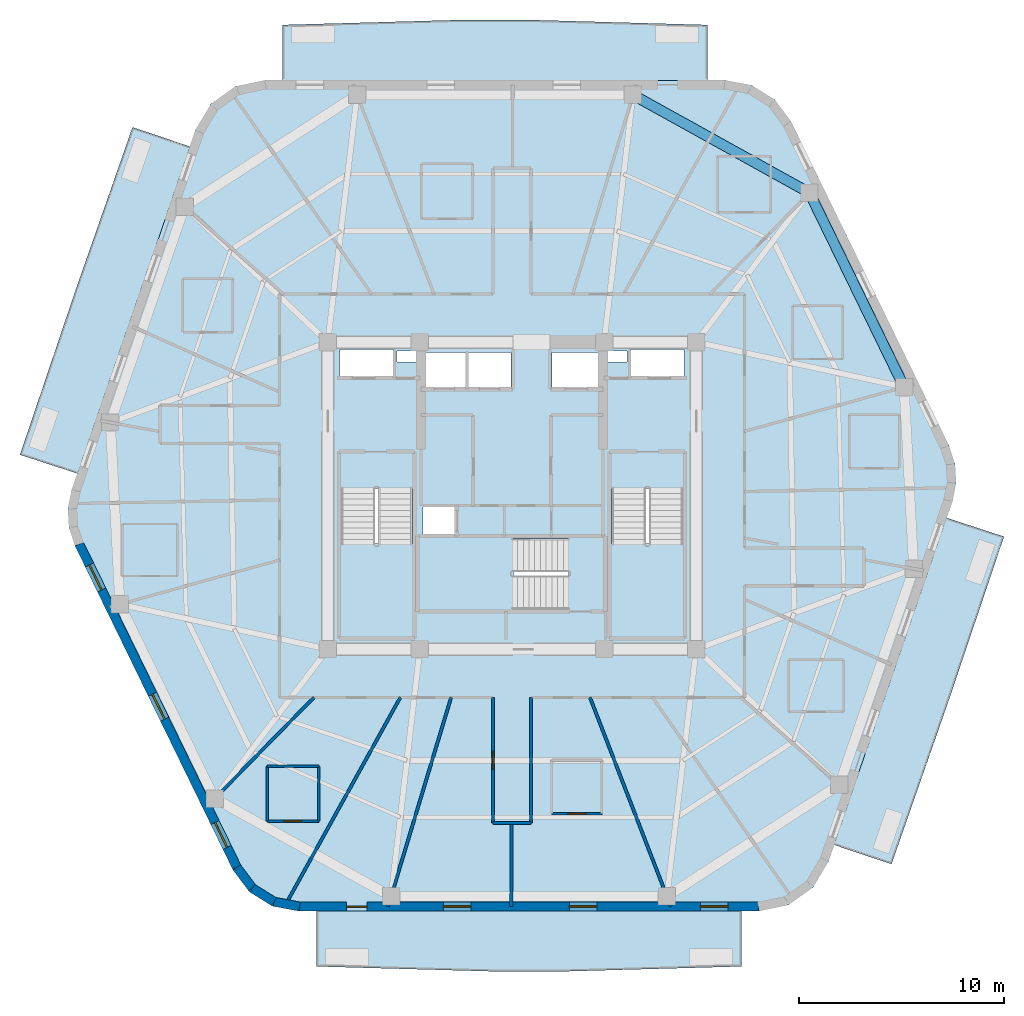
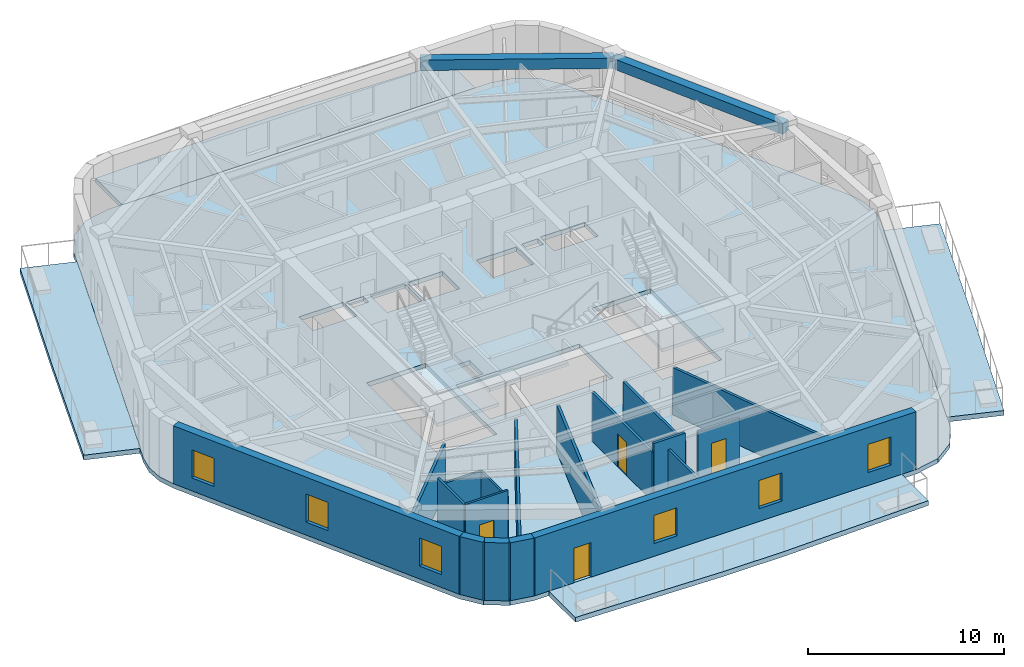
# One storey, part 2 of 9: 18 walls, 8 slabs, 6 windows, 4 doors, 2 beams, 10 openings, 3 elements without a shape of their own.
"""IFC4 building model written with IfcOpenShell, lengths in metres."""

from ifc_helpers import new_model, si_unit, direction, frame, frame_2d, origin, origin_2d, place, context, subcontext, project, spatial, polyline, rectangle, outline, extrude, material, layer, layer_set, material_profile, profile_set, type_object, element, fill, aggregate, save


model = new_model("IFC4")

# Units and contexts
model_context = context("Model", 3, precision=1e-05, world=origin(), true_north=direction((0.0, 1.0)))
body_context = subcontext(model_context, "Body", "Model", "MODEL_VIEW")
ifc_project = project(units=[si_unit("LENGTHUNIT", "METRE"), si_unit("AREAUNIT", "SQUARE_METRE"), si_unit("VOLUMEUNIT", "CUBIC_METRE"), si_unit("PLANEANGLEUNIT", "RADIAN"), si_unit("MASSUNIT", "GRAM", prefix="KILO")], contexts=[model_context])

# Site, building, storey
site_placement = place(None, origin())
site = spatial("IfcSite", under=ifc_project, at=site_placement, CompositionType="ELEMENT")
building_placement = place(site_placement, origin())
building = spatial("IfcBuilding", under=site, at=building_placement, Name="Kilnhurst Terrace Hotel", CompositionType="ELEMENT")
storey_placement = place(building_placement, frame((0.0, 0.0, 269.10009765625)))
storey = spatial("IfcBuildingStorey", under=building, at=storey_placement, Name="L67", CompositionType="ELEMENT", Elevation=269.10009765625)

# Beams
ifc_material_1 = material(Name="Concrete C50/60", Category="concrete")
ifc_material_profile = material_profile(ifc_material_1, rectangle(XDim=0.5, YDim=0.64990234375, at=origin_2d()), Name="RC500X650")
ifc_profile_set = profile_set([ifc_material_profile], Name="Concrete C50/60")
beam_type = type_object("IfcBeamType", Name="BM-SPN-500X650", PredefinedType="SPANDREL", material=ifc_profile_set)
beam_1_placement = place(storey_placement, frame((19.157958984375, 5.304931640625, 3.27490234375), z_axis=(-0.438128464895, 0.898912369616, 0.0), x_axis=(-0.898912369616, -0.438128464895, 0.0)))
element("IfcBeam", 1, at=beam_1_placement, inside=storey, type_object=beam_type, Name="L67 Perimeter Spandrel Beam 5", PredefinedType="SPANDREL", context=body_context, shape_type="SweptSolid", body=[
    extrude(rectangle(XDim=0.5, YDim=0.64990234375, at=origin_2d()), origin(), (0.0, 0.0, 1.0), 10.560791015625),
])
beam_2_placement = place(storey_placement, frame((14.531005859375, 14.798095703125, 3.27490234375), z_axis=(-0.874527255888, 0.484976369227, 0.0), x_axis=(-0.484976369227, -0.874527255888, 0.0)))
element("IfcBeam", 2, at=beam_2_placement, inside=storey, type_object=beam_type, Name="L67 Perimeter Spandrel Beam 6", PredefinedType="SPANDREL", context=body_context, shape_type="SweptSolid", body=[
    extrude(rectangle(XDim=0.5, YDim=0.64990234375, at=origin_2d()), origin(), (0.0, 0.0, 1.0), 9.8603515625),
])

# Slabs
ifc_layer_1 = layer(ifc_material_1, 0.300048828125, Name="Concrete C50/60")
ifc_layer_set_1 = layer_set([ifc_layer_1], Name="Concrete C50/60")
slab_type_1 = type_object("IfcSlabType", Name="SLB-BAL-300", PredefinedType="FLOOR", material=ifc_layer_set_1)
slab_1_placement = place(storey_placement, frame((0.0, 0.0, -0.300048828125)))
element("IfcSlab", 3, at=slab_1_placement, inside=storey, type_object=slab_type_1, Name="L67 Cantilevered Planted Terrace Slab BAL-L1A", PredefinedType="FLOOR", context=body_context, shape_type="SweptSolid", body=[
    extrude(outline(polyline([(2.62060546875, -23.239990234375), (-0.958984375, -23.239990234375), (-9.5498046875, -23.0), (-9.5498046875, -20.280029296875), (11.211669921875, -20.280029296875), (11.211669921875, -23.0), (2.62060546875, -23.239990234375)])), origin(), (0.0, 0.0, 1.0), 0.300048828125),
])
slab_2_placement = place(storey_placement, frame((0.0, 0.0, -0.300048828125)))
element("IfcSlab", 4, at=slab_2_placement, inside=storey, type_object=slab_type_1, Name="L67 Cantilevered Planted Terrace Slab BAL-L1B", PredefinedType="FLOOR", context=body_context, shape_type="SweptSolid", body=[
    extrude(outline(polyline([(18.541259765625, -18.0), (15.725341796875, -17.0556640625), (21.223388671875, -1.0791015625), (24.037353515625, -2.0), (21.317626953125, -10.054931640625), (18.541259765625, -18.0)])), origin(), (0.0, 0.0, 1.0), 0.300048828125),
])
slab_3_placement = place(storey_placement, frame((0.0, 0.0, -0.300048828125)))
element("IfcSlab", 5, at=slab_3_placement, inside=storey, type_object=slab_type_1, Name="L67 Cantilevered Planted Terrace Slab BAL-L2A", PredefinedType="FLOOR", context=body_context, shape_type="SweptSolid", body=[
    extrude(outline(polyline([(0.958984375, 23.239990234375), (9.5498046875, 23.0), (9.5498046875, 20.280029296875), (-11.211669921875, 20.280029296875), (-11.211669921875, 23.0), (-2.62060546875, 23.239990234375), (0.958984375, 23.239990234375)])), origin(), (0.0, 0.0, 1.0), 0.300048828125),
])
slab_4_placement = place(storey_placement, frame((0.0, 0.0, -0.300048828125)))
element("IfcSlab", 6, at=slab_4_placement, inside=storey, type_object=slab_type_1, Name="L67 Cantilevered Planted Terrace Slab BAL-L2B", PredefinedType="FLOOR", context=body_context, shape_type="SweptSolid", body=[
    extrude(outline(polyline([(-18.541259765625, 18.0), (-15.725341796875, 17.0556640625), (-21.223388671875, 1.0791015625), (-24.037353515625, 2.0), (-21.317626953125, 10.054931640625), (-18.541259765625, 18.0)])), origin(), (0.0, 0.0, 1.0), 0.300048828125),
])
ifc_layer_2 = layer(ifc_material_1, 0.280029296875, Name="Concrete C50/60")
ifc_layer_set_2 = layer_set([ifc_layer_2], Name="Concrete C50/60")
slab_type_2 = type_object("IfcSlabType", Name="SLB-FLR-280", PredefinedType="FLOOR", material=ifc_layer_set_2)
slab_5_placement = place(storey_placement, frame((0.0, 0.0, -0.280029296875)))
element("IfcSlab", 7, at=slab_5_placement, inside=storey, type_object=slab_type_2, Name="L67 Structural Floor Slab", PredefinedType="FLOOR", context=body_context, shape_type="SweptSolid", body=[
    extrude(outline(polyline([(-13.635986328125, -18.27734375), (-12.840087890625, -19.3466796875), (-11.709716796875, -20.05322265625), (-10.39990234375, -20.300048828125), (12.061767578125, -20.300048828125), (13.5068359375, -19.9970703125), (14.708984375, -19.139404296875), (15.4658203125, -17.871337890625), (21.51513671875, -0.29248046875), (21.7021484375, 0.627685546875), (21.64501953125, 1.565185546875), (21.34716796875, 2.4560546875), (13.635986328125, 18.27734375), (12.840087890625, 19.3466796875), (11.709716796875, 20.05322265625), (10.39990234375, 20.300048828125), (-12.061767578125, 20.300048828125), (-13.5068359375, 19.9970703125), (-14.708984375, 19.139404296875), (-15.4658203125, 17.871337890625), (-21.51513671875, 0.29248046875), (-21.7021484375, -0.627685546875), (-21.64501953125, -1.565185546875), (-21.34716796875, -2.4560546875), (-13.635986328125, -18.27734375)]), holes=[polyline([(-8.35009765625, 0.35498046875), (-4.8798828125, 0.35498046875), (-4.8798828125, -6.89990234375), (-8.35009765625, -6.89990234375), (-8.35009765625, 0.35498046875)]), polyline([(-2.800048828125, -1.89990234375), (-4.35009765625, -1.89990234375), (-4.35009765625, -0.550048828125), (-2.800048828125, -0.550048828125), (-2.800048828125, -1.89990234375)]), polyline([(-2.25, 5.25), (-4.300048828125, 5.25), (-4.300048828125, 7.0), (-2.25, 7.0), (-2.25, 5.25)]), polyline([(-2.1201171875, 5.25), (-2.1201171875, 7.0), (-0.050048828125, 7.0), (-0.050048828125, 5.25), (-2.1201171875, 5.25)]), polyline([(-8.39990234375, 5.75), (-8.39990234375, 7.14990234375), (-5.800048828125, 7.14990234375), (-5.800048828125, 5.75), (-8.39990234375, 5.75)]), polyline([(-4.659912109375, 6.52001953125), (-5.6201171875, 6.52001953125), (-5.6201171875, 7.080078125), (-4.659912109375, 7.080078125), (-4.659912109375, 6.52001953125)]), polyline([(2.7548828125, -5.550048828125), (-4.5, -5.550048828125), (-4.5, -2.080078125), (2.7548828125, -2.080078125), (2.7548828125, -5.550048828125)]), polyline([(8.35009765625, 0.35498046875), (8.35009765625, -6.89990234375), (4.8798828125, -6.89990234375), (4.8798828125, 0.35498046875), (8.35009765625, 0.35498046875)]), polyline([(4.300048828125, 5.25), (1.949951171875, 5.25), (1.949951171875, 7.0), (4.300048828125, 7.0), (4.300048828125, 5.25)]), polyline([(5.800048828125, 5.75), (5.800048828125, 7.14990234375), (8.39990234375, 7.14990234375), (8.39990234375, 5.75), (5.800048828125, 5.75)]), polyline([(4.659912109375, 6.52001953125), (4.659912109375, 7.080078125), (5.6201171875, 7.080078125), (5.6201171875, 6.52001953125), (4.659912109375, 6.52001953125)])]), origin(), (0.0, 0.0, 1.0), 0.280029296875),
])

# Stair, slab
stair_type = type_object("IfcStairType", Name="STR-CORE-1660", PredefinedType="HALF_TURN_STAIR", material=ifc_material_1)
stair_1_placement = place(storey_placement, origin())
stair_1 = element("IfcStair", 8, at=stair_1_placement, inside=storey, type_object=stair_type, Name="L67 ST-1", PredefinedType="HALF_TURN_STAIR")
ifc_layer_3 = layer(ifc_material_1, 0.199951171875, Name="Concrete C50/60")
ifc_layer_set_3 = layer_set([ifc_layer_3], Name="Concrete C50/60")
slab_type_3 = type_object("IfcSlabType", Name="SLB-ST-LND-200", PredefinedType="LANDING", material=ifc_layer_set_3)
slab_6_placement = place(storey_placement, frame((0.0, 0.0, 1.75)))
slab_6 = element("IfcSlab", 9, at=slab_6_placement, type_object=slab_type_3, Name="ST-1 landing 1", PredefinedType="LANDING", context=body_context, shape_type="SweptSolid", body=[
    extrude(outline(polyline([(-8.429931640625, -2.330078125), (-4.800048828125, -2.330078125), (-4.800048828125, -6.97998046875), (-8.429931640625, -6.97998046875), (-8.429931640625, -2.330078125)])), origin(), (0.0, 0.0, 1.0), 0.199951171875),
])
aggregate(stair_1, [slab_6])

stair_2_placement = place(storey_placement, origin())
stair_2 = element("IfcStair", 10, at=stair_2_placement, inside=storey, type_object=stair_type, Name="L67 ST-2", PredefinedType="HALF_TURN_STAIR")
slab_7_placement = place(storey_placement, frame((0.0, 0.0, 1.75)))
slab_7 = element("IfcSlab", 11, at=slab_7_placement, type_object=slab_type_3, Name="ST-2 landing 1", PredefinedType="LANDING", context=body_context, shape_type="SweptSolid", body=[
    extrude(outline(polyline([(4.800048828125, -2.330078125), (8.429931640625, -2.330078125), (8.429931640625, -6.97998046875), (4.800048828125, -6.97998046875), (4.800048828125, -2.330078125)])), origin(), (0.0, 0.0, 1.0), 0.199951171875),
])
aggregate(stair_2, [slab_7])

stair_3_placement = place(storey_placement, origin())
stair_3 = element("IfcStair", 12, at=stair_3_placement, inside=storey, type_object=stair_type, Name="L67 ST-3", PredefinedType="HALF_TURN_STAIR")
slab_8_placement = place(storey_placement, frame((0.0, 0.0, 1.75)))
slab_8 = element("IfcSlab", 13, at=slab_8_placement, type_object=slab_type_3, Name="ST-3 landing 1", PredefinedType="LANDING", context=body_context, shape_type="SweptSolid", body=[
    extrude(outline(polyline([(0.070068359375, -2.0), (0.070068359375, -5.6298828125), (-4.580078125, -5.6298828125), (-4.580078125, -2.0), (0.070068359375, -2.0)])), origin(), (0.0, 0.0, 1.0), 0.199951171875),
])
aggregate(stair_3, [slab_8])

# Walls
ifc_material_2 = material(Name="Precast concrete C40/50", Category="concrete")
ifc_layer_4 = layer(ifc_material_2, 0.449951171875, Name="Precast concrete C40/50")
ifc_layer_set_4 = layer_set([ifc_layer_4], Name="Precast concrete C40/50")
wall_type_1 = type_object("IfcWallType", Name="WL-BRK-450", PredefinedType="SOLIDWALL", material=ifc_layer_set_4)
wall_1_placement = place(storey_placement, frame((-13.44287109375, -18.159912109375, 0.0), z_axis=(0.0, 0.0, 1.0), x_axis=(0.597042425808, -0.802209661987, 0.0)))
element("IfcWall", 14, at=wall_1_placement, inside=storey, type_object=wall_type_1, Name="L67 Rounded Corner Brick Wall C1.1", PredefinedType="SOLIDWALL", context=body_context, shape_type="SweptSolid", body=[
    extrude(rectangle(XDim=1.269775390625, YDim=0.449951171875, at=frame_2d((0.634765625, 0.0))), origin(), (0.0, 0.0, 1.0), 3.599853515625),
])
wall_2_placement = place(storey_placement, frame((-12.684814453125, -19.178466796875, 0.0), z_axis=(0.0, 0.0, 1.0), x_axis=(0.848031272749, -0.529946186362, 0.0)))
element("IfcWall", 15, at=wall_2_placement, inside=storey, type_object=wall_type_1, Name="L67 Rounded Corner Brick Wall C1.2", PredefinedType="SOLIDWALL", context=body_context, shape_type="SweptSolid", body=[
    extrude(rectangle(XDim=1.248046875, YDim=0.449951171875, at=frame_2d((0.6240234375, 0.0))), origin(), (0.0, 0.0, 1.0), 3.599853515625),
])
wall_3_placement = place(storey_placement, frame((-11.62646484375, -19.83984375, 0.0), z_axis=(0.0, 0.0, 1.0), x_axis=(0.982701956681, -0.185194126083, 0.0)))
element("IfcWall", 16, at=wall_3_placement, inside=storey, type_object=wall_type_1, Name="L67 Rounded Corner Brick Wall C1.3", PredefinedType="SOLIDWALL", context=body_context, shape_type="SweptSolid", body=[
    extrude(rectangle(XDim=1.26953125, YDim=0.449951171875, at=frame_2d((0.634765625, 0.0))), origin(), (0.0, 0.0, 1.0), 3.599853515625),
])

# Wall, openings, door, windows
wall_4_placement = place(storey_placement, frame((-10.37890625, -20.074951171875, 0.0), z_axis=(0.0, 0.0, 1.0), x_axis=(1.0, 0.0, 0.0)))
wall_4 = element("IfcWall", 17, at=wall_4_placement, inside=storey, type_object=wall_type_1, Name="L67 Exterior Brick Facade Wall F1", PredefinedType="SOLIDWALL", context=body_context, shape_type="SweptSolid", body=[
    extrude(rectangle(XDim=22.417236328125, YDim=0.449951171875, at=frame_2d((11.20849609375, 0.0))), origin(), (0.0, 0.0, 1.0), 3.599853515625),
])
opening_1_placement = place(wall_4_placement, frame((2.302001953125, 0.0, 0.0)))
opening_1 = element("IfcOpeningElement", 18, at=opening_1_placement, cuts=wall_4, Name="Opening BD-1000", PredefinedType="OPENING", context=body_context, shape_type="SweptSolid", body=[
    extrude(rectangle(XDim=1.0, YDim=2.14990234375, at=frame_2d((0.5, 1.074951171875))), frame((0.0, 0.23486328125, 0.0), z_axis=(0.0, -1.0, 0.0), x_axis=(1.0, 0.0, 0.0)), (0.0, 0.0, 1.0), 0.469970703125),
])
opening_2_placement = place(wall_4_placement, frame((7.02197265625, 0.0, 0.800048828125)))
opening_2 = element("IfcOpeningElement", 19, at=opening_2_placement, cuts=wall_4, Name="Opening W-06", PredefinedType="OPENING", context=body_context, shape_type="SweptSolid", body=[
    extrude(rectangle(XDim=1.35009765625, YDim=1.75, at=frame_2d((0.675048828125, 0.875))), frame((0.0, 0.23486328125, 0.0), z_axis=(0.0, -1.0, 0.0), x_axis=(1.0, 0.0, 0.0)), (0.0, 0.0, 1.0), 0.469970703125),
])
opening_3_placement = place(wall_4_placement, frame((13.179931640625, 0.0, 0.800048828125)))
opening_3 = element("IfcOpeningElement", 20, at=opening_3_placement, cuts=wall_4, Name="Opening W-06", PredefinedType="OPENING", context=body_context, shape_type="SweptSolid", body=[
    extrude(rectangle(XDim=1.35009765625, YDim=1.75, at=frame_2d((0.675048828125, 0.875))), frame((0.0, 0.23486328125, 0.0), z_axis=(0.0, -1.0, 0.0), x_axis=(1.0, 0.0, 0.0)), (0.0, 0.0, 1.0), 0.469970703125),
])
opening_4_placement = place(wall_4_placement, frame((19.5869140625, 0.0, 0.800048828125)))
opening_4 = element("IfcOpeningElement", 21, at=opening_4_placement, cuts=wall_4, Name="Opening W-06", PredefinedType="OPENING", context=body_context, shape_type="SweptSolid", body=[
    extrude(rectangle(XDim=1.35009765625, YDim=1.75, at=frame_2d((0.675048828125, 0.875))), frame((0.0, 0.23486328125, 0.0), z_axis=(0.0, -1.0, 0.0), x_axis=(1.0, 0.0, 0.0)), (0.0, 0.0, 1.0), 0.469970703125),
])
ifc_material_3 = material(Name="Thermally Broken Bronze Aluminium Alloy 6063-T6 and Laminated Glass", Category="aluminium")
door_type_1 = type_object("IfcDoorType", Name="DR-EXT-BAL-1000", OperationType="NOTDEFINED", PredefinedType="DOOR", material=ifc_material_3)
door_1_placement = place(opening_1_placement, origin())
door_1 = element("IfcDoor", 22, at=door_1_placement, inside=storey, type_object=door_type_1, Name="L67 Planted Balcony Door BAL-L1A", OperationType="SINGLE_SWING_LEFT", OverallHeight=2.14990234375, OverallWidth=1.0, PredefinedType="DOOR", context=body_context, shape_type="SweptSolid", body=[
    extrude(rectangle(XDim=1.0, YDim=2.14990234375, at=frame_2d((0.5, 1.074951171875))), frame((0.0, 0.02490234375, 0.0), z_axis=(0.0, -1.0, 0.0), x_axis=(1.0, 0.0, 0.0)), (0.0, 0.0, 1.0), 0.050048828125),
])
fill(opening_1, door_1)
ifc_material_4 = material(Name="Thermally Broken Bronze Aluminium Alloy 6063-T6 and Low-E Glass", Category="aluminium")
window_type = type_object("IfcWindowType", Name="WIN-1350X1750", PartitioningType="SINGLE_PANEL", PredefinedType="WINDOW", material=ifc_material_4)
window_1_placement = place(opening_2_placement, origin())
window_1 = element("IfcWindow", 23, at=window_1_placement, inside=storey, type_object=window_type, Name="L67 Deep-Set Masonry Window F1.1", OverallHeight=1.75, OverallWidth=1.35009765625, PartitioningType="SINGLE_PANEL", PredefinedType="WINDOW", context=body_context, shape_type="SweptSolid", body=[
    extrude(rectangle(XDim=1.35009765625, YDim=1.75, at=frame_2d((0.675048828125, 0.875))), frame((0.0, 0.030029296875, 0.0), z_axis=(0.0, -1.0, 0.0), x_axis=(1.0, 0.0, 0.0)), (0.0, 0.0, 1.0), 0.06005859375),
])
fill(opening_2, window_1)
window_2_placement = place(opening_3_placement, origin())
window_2 = element("IfcWindow", 24, at=window_2_placement, inside=storey, type_object=window_type, Name="L67 Deep-Set Masonry Window F1.2", OverallHeight=1.75, OverallWidth=1.35009765625, PartitioningType="SINGLE_PANEL", PredefinedType="WINDOW", context=body_context, shape_type="SweptSolid", body=[
    extrude(rectangle(XDim=1.35009765625, YDim=1.75, at=frame_2d((0.675048828125, 0.875))), frame((0.0, 0.030029296875, 0.0), z_axis=(0.0, -1.0, 0.0), x_axis=(1.0, 0.0, 0.0)), (0.0, 0.0, 1.0), 0.06005859375),
])
fill(opening_3, window_2)
window_3_placement = place(opening_4_placement, origin())
window_3 = element("IfcWindow", 25, at=window_3_placement, inside=storey, type_object=window_type, Name="L67 Deep-Set Masonry Window F1.3", OverallHeight=1.75, OverallWidth=1.35009765625, PartitioningType="SINGLE_PANEL", PredefinedType="WINDOW", context=body_context, shape_type="SweptSolid", body=[
    extrude(rectangle(XDim=1.35009765625, YDim=1.75, at=frame_2d((0.675048828125, 0.875))), frame((0.0, 0.030029296875, 0.0), z_axis=(0.0, -1.0, 0.0), x_axis=(1.0, 0.0, 0.0)), (0.0, 0.0, 1.0), 0.06005859375),
])
fill(opening_4, window_3)

# Wall, openings, windows
wall_5_placement = place(storey_placement, frame((-21.138427734375, -2.370849609375, 0.0), z_axis=(0.0, 0.0, 1.0), x_axis=(0.438128124058, -0.89891253574, 0.0)))
wall_5 = element("IfcWall", 26, at=wall_5_placement, inside=storey, type_object=wall_type_1, Name="L67 Exterior Brick Facade Wall F6", PredefinedType="SOLIDWALL", context=body_context, shape_type="SweptSolid", body=[
    extrude(rectangle(XDim=17.564697265625, YDim=0.449951171875, at=frame_2d((8.7822265625, 0.0))), origin(), (0.0, 0.0, 1.0), 3.599853515625),
])
opening_5_placement = place(wall_5_placement, frame((1.133056640625, 0.0, 0.800048828125)))
opening_5 = element("IfcOpeningElement", 27, at=opening_5_placement, cuts=wall_5, Name="Opening W-06", PredefinedType="OPENING", context=body_context, shape_type="SweptSolid", body=[
    extrude(rectangle(XDim=1.35009765625, YDim=1.75, at=frame_2d((0.675048828125, 0.875))), frame((0.0, 0.23486328125, 0.0), z_axis=(0.0, -1.0, 0.0), x_axis=(1.0, 0.0, 0.0)), (0.0, 0.0, 1.0), 0.469970703125),
])
opening_6_placement = place(wall_5_placement, frame((8.157958984375, 0.0, 0.800048828125)))
opening_6 = element("IfcOpeningElement", 28, at=opening_6_placement, cuts=wall_5, Name="Opening W-06", PredefinedType="OPENING", context=body_context, shape_type="SweptSolid", body=[
    extrude(rectangle(XDim=1.35009765625, YDim=1.75, at=frame_2d((0.675048828125, 0.875))), frame((0.0, 0.23486328125, 0.0), z_axis=(0.0, -1.0, 0.0), x_axis=(1.0, 0.0, 0.0)), (0.0, 0.0, 1.0), 0.469970703125),
])
opening_7_placement = place(wall_5_placement, frame((15.132080078125, 0.0, 0.800048828125)))
opening_7 = element("IfcOpeningElement", 29, at=opening_7_placement, cuts=wall_5, Name="Opening W-06", PredefinedType="OPENING", context=body_context, shape_type="SweptSolid", body=[
    extrude(rectangle(XDim=1.35009765625, YDim=1.75, at=frame_2d((0.675048828125, 0.875))), frame((0.0, 0.23486328125, 0.0), z_axis=(0.0, -1.0, 0.0), x_axis=(1.0, 0.0, 0.0)), (0.0, 0.0, 1.0), 0.469970703125),
])
window_4_placement = place(opening_5_placement, origin())
window_4 = element("IfcWindow", 30, at=window_4_placement, inside=storey, type_object=window_type, Name="L67 Deep-Set Masonry Window F6.1", OverallHeight=1.75, OverallWidth=1.35009765625, PartitioningType="SINGLE_PANEL", PredefinedType="WINDOW", context=body_context, shape_type="SweptSolid", body=[
    extrude(rectangle(XDim=1.35009765625, YDim=1.75, at=frame_2d((0.675048828125, 0.875))), frame((0.0, 0.030029296875, 0.0), z_axis=(0.0, -1.0, 0.0), x_axis=(1.0, 0.0, 0.0)), (0.0, 0.0, 1.0), 0.06005859375),
])
fill(opening_5, window_4)
window_5_placement = place(opening_6_placement, origin())
window_5 = element("IfcWindow", 31, at=window_5_placement, inside=storey, type_object=window_type, Name="L67 Deep-Set Masonry Window F6.2", OverallHeight=1.75, OverallWidth=1.35009765625, PartitioningType="SINGLE_PANEL", PredefinedType="WINDOW", context=body_context, shape_type="SweptSolid", body=[
    extrude(rectangle(XDim=1.35009765625, YDim=1.75, at=frame_2d((0.675048828125, 0.875))), frame((0.0, 0.030029296875, 0.0), z_axis=(0.0, -1.0, 0.0), x_axis=(1.0, 0.0, 0.0)), (0.0, 0.0, 1.0), 0.06005859375),
])
fill(opening_6, window_5)
window_6_placement = place(opening_7_placement, origin())
window_6 = element("IfcWindow", 32, at=window_6_placement, inside=storey, type_object=window_type, Name="L67 Deep-Set Masonry Window F6.3", OverallHeight=1.75, OverallWidth=1.35009765625, PartitioningType="SINGLE_PANEL", PredefinedType="WINDOW", context=body_context, shape_type="SweptSolid", body=[
    extrude(rectangle(XDim=1.35009765625, YDim=1.75, at=frame_2d((0.675048828125, 0.875))), frame((0.0, 0.030029296875, 0.0), z_axis=(0.0, -1.0, 0.0), x_axis=(1.0, 0.0, 0.0)), (0.0, 0.0, 1.0), 0.06005859375),
])
fill(opening_7, window_6)

# Walls
ifc_material_5 = material(Name="Acoustic Double-Gypsum Corridor Partition Assembly")
ifc_layer_5 = layer(ifc_material_5, 0.14990234375, Name="Acoustic Double-Gypsum Corridor Partition Assembly")
ifc_layer_set_5 = layer_set([ifc_layer_5], Name="Acoustic Double-Gypsum Corridor Partition Assembly")
wall_type_2 = type_object("IfcWallType", Name="WL-COR-150", PredefinedType="PARTITIONING", material=ifc_layer_set_5)
wall_6_placement = place(storey_placement, frame((0.919921875, -9.85009765625, 0.0), z_axis=(0.0, 0.0, 1.0), x_axis=(0.0, -1.0, 0.0)))
element("IfcWall", 33, at=wall_6_placement, inside=storey, type_object=wall_type_2, Name="L67 Interior Wall WL-L67-COR-17", PredefinedType="PARTITIONING", context=body_context, shape_type="SweptSolid", body=[
    extrude(rectangle(XDim=6.14990234375, YDim=0.14990234375, at=frame_2d((3.074951171875, 0.0))), origin(), (0.0, 0.0, 1.0), 3.040283203125),
])
wall_7_placement = place(storey_placement, frame((0.919921875, -16.0, 0.0), z_axis=(0.0, 0.0, 1.0), x_axis=(-1.0, 0.0, 0.0)))
element("IfcWall", 34, at=wall_7_placement, inside=storey, type_object=wall_type_2, Name="L67 Interior Wall WL-L67-COR-18", PredefinedType="PARTITIONING", context=body_context, shape_type="SweptSolid", body=[
    extrude(rectangle(XDim=1.83984375, YDim=0.14990234375, at=frame_2d((0.919921875, 0.0))), origin(), (0.0, 0.0, 1.0), 3.599853515625),
])

# Wall, opening, door
wall_8_placement = place(storey_placement, frame((-0.919921875, -16.0, 0.0), z_axis=(0.0, 0.0, 1.0), x_axis=(0.0, 1.0, 0.0)))
wall_8 = element("IfcWall", 35, at=wall_8_placement, inside=storey, type_object=wall_type_2, Name="L67 Interior Wall WL-L67-COR-19", PredefinedType="PARTITIONING", context=body_context, shape_type="SweptSolid", body=[
    extrude(rectangle(XDim=6.14990234375, YDim=0.14990234375, at=frame_2d((3.074951171875, 0.0))), origin(), (0.0, 0.0, 1.0), 3.040283203125),
])
opening_8_placement = place(wall_8_placement, frame((2.625, 0.0, 0.0)))
opening_8 = element("IfcOpeningElement", 36, at=opening_8_placement, cuts=wall_8, Name="Opening D-60C", PredefinedType="OPENING", context=body_context, shape_type="SweptSolid", body=[
    extrude(rectangle(XDim=0.89990234375, YDim=2.030029296875, at=frame_2d((0.449951171875, 1.01513671875))), frame((0.0, 0.0849609375, 0.0), z_axis=(0.0, -1.0, 0.0), x_axis=(1.0, 0.0, 0.0)), (0.0, 0.0, 1.0), 0.169921875),
])
ifc_material_6 = material(Name="Painted Solid-Core Service Fire Door")
door_type_2 = type_object("IfcDoorType", Name="DR-FD60-900", OperationType="NOTDEFINED", PredefinedType="DOOR", material=ifc_material_6)
door_2_placement = place(opening_8_placement, origin())
door_2 = element("IfcDoor", 37, at=door_2_placement, inside=storey, type_object=door_type_2, Name="L67 Executive Work Office Door 16", OperationType="SINGLE_SWING_RIGHT", OverallHeight=2.030029296875, OverallWidth=0.89990234375, PredefinedType="DOOR", context=body_context, shape_type="SweptSolid", body=[
    extrude(rectangle(XDim=0.89990234375, YDim=2.030029296875, at=frame_2d((0.449951171875, 1.01513671875))), frame((0.0, 0.02490234375, 0.0), z_axis=(0.0, -1.0, 0.0), x_axis=(1.0, 0.0, 0.0)), (0.0, 0.0, 1.0), 0.050048828125),
])
fill(opening_8, door_2)

# Walls
ifc_material_7 = material(Name="STC-58 Acoustic Twin-Frame Guestroom Demising Partition")
ifc_layer_6 = layer(ifc_material_7, 0.14990234375, Name="STC-58 Acoustic Twin-Frame Guestroom Demising Partition")
ifc_layer_set_6 = layer_set([ifc_layer_6], Name="STC-58 Acoustic Twin-Frame Guestroom Demising Partition")
wall_type_3 = type_object("IfcWallType", Name="WL-DEM-150", PredefinedType="PARTITIONING", material=ifc_layer_set_6)
wall_9_placement = place(storey_placement, frame((-9.67236328125, -9.85009765625, 0.0), z_axis=(0.0, 0.0, 1.0), x_axis=(-0.700629771301, -0.713524998558, 0.0)))
element("IfcWall", 38, at=wall_9_placement, inside=storey, type_object=wall_type_3, Name="L67 Interior Wall WL-L67-DEM-COL08-14-1", PredefinedType="PARTITIONING", context=body_context, shape_type="SweptSolid", body=[
    extrude(rectangle(XDim=7.45947265625, YDim=0.14990234375, at=frame_2d((3.729736328125, 0.0))), origin(), (0.0, 0.0, 1.0), 2.93994140625),
])
wall_10_placement = place(storey_placement, frame((-5.453857421875, -9.85009765625, 0.0), z_axis=(0.0, 0.0, 1.0), x_axis=(-0.48439420613, -0.874849846012, 0.0)))
element("IfcWall", 39, at=wall_10_placement, inside=storey, type_object=wall_type_3, Name="L67 Interior Wall WL-L67-DEM-MID08-15-1", PredefinedType="PARTITIONING", context=body_context, shape_type="SweptSolid", body=[
    extrude(rectangle(XDim=11.37548828125, YDim=0.14990234375, at=frame_2d((5.687744140625, 0.0))), origin(), (0.0, 0.0, 1.0), 2.93994140625),
])
wall_11_placement = place(storey_placement, frame((-2.97216796875, -9.85009765625, 0.0), z_axis=(0.0, 0.0, 1.0), x_axis=(-0.288872169679, -0.957367677324, 0.0)))
element("IfcWall", 40, at=wall_11_placement, inside=storey, type_object=wall_type_3, Name="L67 Interior Wall WL-L67-DEM-COL09-16-1", PredefinedType="PARTITIONING", context=body_context, shape_type="SweptSolid", body=[
    extrude(rectangle(XDim=10.68017578125, YDim=0.14990234375, at=frame_2d((5.340087890625, 0.0))), origin(), (0.0, 0.0, 1.0), 2.93994140625),
])
wall_12_placement = place(storey_placement, frame((-0.02880859375, -16.0, 0.0), z_axis=(0.0, 0.0, 1.0), x_axis=(-0.001797372928, -0.999998384724, 0.0)))
element("IfcWall", 41, at=wall_12_placement, inside=storey, type_object=wall_type_3, Name="L67 Interior Wall WL-L67-DEM-MID09-17-1", PredefinedType="PARTITIONING", context=body_context, shape_type="SweptSolid", body=[
    extrude(rectangle(XDim=4.074951171875, YDim=0.14990234375, at=frame_2d((2.03759765625, 0.0))), origin(), (0.0, 0.0, 1.0), 2.93994140625),
])
wall_13_placement = place(storey_placement, frame((3.8076171875, -9.85009765625, 0.0), z_axis=(0.0, 0.0, 1.0), x_axis=(0.360587327934, -0.932725457427, 0.0)))
element("IfcWall", 42, at=wall_13_placement, inside=storey, type_object=wall_type_3, Name="L67 Interior Wall WL-L67-DEM-COL10-18-1", PredefinedType="PARTITIONING", context=body_context, shape_type="SweptSolid", body=[
    extrude(rectangle(XDim=10.96240234375, YDim=0.14990234375, at=frame_2d((5.481201171875, 0.0))), origin(), (0.0, 0.0, 1.0), 2.93994140625),
])

# Wall, opening, door
ifc_material_8 = material(Name="120 mm Moisture-Resistant Tile-Backed Bathroom Partition")
ifc_layer_7 = layer(ifc_material_8, 0.1201171875, Name="120 mm Moisture-Resistant Tile-Backed Bathroom Partition")
ifc_layer_set_7 = layer_set([ifc_layer_7], Name="120 mm Moisture-Resistant Tile-Backed Bathroom Partition")
wall_type_4 = type_object("IfcWallType", Name="WL-PART-120", PredefinedType="PARTITIONING", material=ifc_layer_set_7)
wall_14_placement = place(storey_placement, frame((-11.958984375, -15.905029296875, 0.0), z_axis=(0.0, 0.0, 1.0), x_axis=(1.0, 0.0, 0.0)))
wall_14 = element("IfcWall", 43, at=wall_14_placement, inside=storey, type_object=wall_type_4, Name="L67 Interior Wall WL-L67-BTH-14-1", PredefinedType="PARTITIONING", context=body_context, shape_type="SweptSolid", body=[
    extrude(rectangle(XDim=2.52001953125, YDim=0.1201171875, at=frame_2d((1.260009765625, 0.0))), origin(), (0.0, 0.0, 1.0), 3.599853515625),
])
opening_9_placement = place(wall_14_placement, frame((0.8349609375, 0.0, 0.0)))
opening_9 = element("IfcOpeningElement", 44, at=opening_9_placement, cuts=wall_14, Name="Opening D-08A", PredefinedType="OPENING", context=body_context, shape_type="SweptSolid", body=[
    extrude(rectangle(XDim=0.85009765625, YDim=2.030029296875, at=frame_2d((0.425048828125, 1.01513671875))), frame((0.0, 0.070068359375, 0.0), z_axis=(0.0, -1.0, 0.0), x_axis=(1.0, 0.0, 0.0)), (0.0, 0.0, 1.0), 0.14013671875),
])
ifc_material_9 = material(Name="Moisture-Resistant Lacquered En-suite Bathroom Door")
door_type_3 = type_object("IfcDoorType", Name="DR-INT-850", OperationType="NOTDEFINED", PredefinedType="DOOR", material=ifc_material_9)
door_3_placement = place(opening_9_placement, origin())
door_3 = element("IfcDoor", 45, at=door_3_placement, inside=storey, type_object=door_type_3, Name="L67 En-suite Bathroom Door 14", OperationType="SINGLE_SWING_LEFT", OverallHeight=2.030029296875, OverallWidth=0.85009765625, PredefinedType="DOOR", context=body_context, shape_type="SweptSolid", body=[
    extrude(rectangle(XDim=0.85009765625, YDim=2.030029296875, at=frame_2d((0.425048828125, 1.01513671875))), frame((0.0, 0.02490234375, 0.0), z_axis=(0.0, -1.0, 0.0), x_axis=(1.0, 0.0, 0.0)), (0.0, 0.0, 1.0), 0.050048828125),
])
fill(opening_9, door_3)

# Walls
wall_15_placement = place(storey_placement, frame((-9.43896484375, -15.905029296875, 0.0), z_axis=(0.0, 0.0, 1.0), x_axis=(0.0, 1.0, 0.0)))
element("IfcWall", 46, at=wall_15_placement, inside=storey, type_object=wall_type_4, Name="L67 Interior Wall WL-L67-BTH-14-2", PredefinedType="PARTITIONING", context=body_context, shape_type="SweptSolid", body=[
    extrude(rectangle(XDim=2.679931640625, YDim=0.1201171875, at=frame_2d((1.33984375, 0.0))), origin(), (0.0, 0.0, 1.0), 3.17236328125),
])
wall_16_placement = place(storey_placement, frame((-9.43896484375, -13.22509765625, 0.0), z_axis=(0.0, 0.0, 1.0), x_axis=(-1.0, 0.0, 0.0)))
element("IfcWall", 47, at=wall_16_placement, inside=storey, type_object=wall_type_4, Name="L67 Interior Wall WL-L67-BTH-14-3", PredefinedType="PARTITIONING", context=body_context, shape_type="SweptSolid", body=[
    extrude(rectangle(XDim=2.52001953125, YDim=0.1201171875, at=frame_2d((1.260009765625, 0.0))), origin(), (0.0, 0.0, 1.0), 3.17236328125),
])
wall_17_placement = place(storey_placement, frame((-11.958984375, -13.22509765625, 0.0), z_axis=(0.0, 0.0, 1.0), x_axis=(0.0, -1.0, 0.0)))
element("IfcWall", 48, at=wall_17_placement, inside=storey, type_object=wall_type_4, Name="L67 Interior Wall WL-L67-BTH-14-4", PredefinedType="PARTITIONING", context=body_context, shape_type="SweptSolid", body=[
    extrude(rectangle(XDim=2.679931640625, YDim=0.1201171875, at=frame_2d((1.33984375, 0.0))), origin(), (0.0, 0.0, 1.0), 3.599853515625),
])

# Wall, opening, door
wall_18_placement = place(storey_placement, frame((1.950927734375, -15.530029296875, 0.0), z_axis=(0.0, 0.0, 1.0), x_axis=(1.0, 0.0, 0.0)))
wall_18 = element("IfcWall", 49, at=wall_18_placement, inside=storey, type_object=wall_type_4, Name="L67 Interior Wall WL-L67-BTH-17-1", PredefinedType="PARTITIONING", context=body_context, shape_type="SweptSolid", body=[
    extrude(rectangle(XDim=2.440185546875, YDim=0.1201171875, at=frame_2d((1.22021484375, 0.0))), origin(), (0.0, 0.0, 1.0), 3.040283203125),
])
opening_10_placement = place(wall_18_placement, frame((0.794921875, 0.0, 0.0)))
opening_10 = element("IfcOpeningElement", 50, at=opening_10_placement, cuts=wall_18, Name="Opening D-08A", PredefinedType="OPENING", context=body_context, shape_type="SweptSolid", body=[
    extrude(rectangle(XDim=0.85009765625, YDim=2.030029296875, at=frame_2d((0.425048828125, 1.01513671875))), frame((0.0, 0.070068359375, 0.0), z_axis=(0.0, -1.0, 0.0), x_axis=(1.0, 0.0, 0.0)), (0.0, 0.0, 1.0), 0.14013671875),
])
door_4_placement = place(opening_10_placement, origin())
door_4 = element("IfcDoor", 51, at=door_4_placement, inside=storey, type_object=door_type_3, Name="L67 En-suite Bathroom Door 17", OperationType="SINGLE_SWING_RIGHT", OverallHeight=2.030029296875, OverallWidth=0.85009765625, PredefinedType="DOOR", context=body_context, shape_type="SweptSolid", body=[
    extrude(rectangle(XDim=0.85009765625, YDim=2.030029296875, at=frame_2d((0.425048828125, 1.01513671875))), frame((0.0, 0.02490234375, 0.0), z_axis=(0.0, -1.0, 0.0), x_axis=(1.0, 0.0, 0.0)), (0.0, 0.0, 1.0), 0.050048828125),
])
fill(opening_10, door_4)

save(model, "model.ifc")
